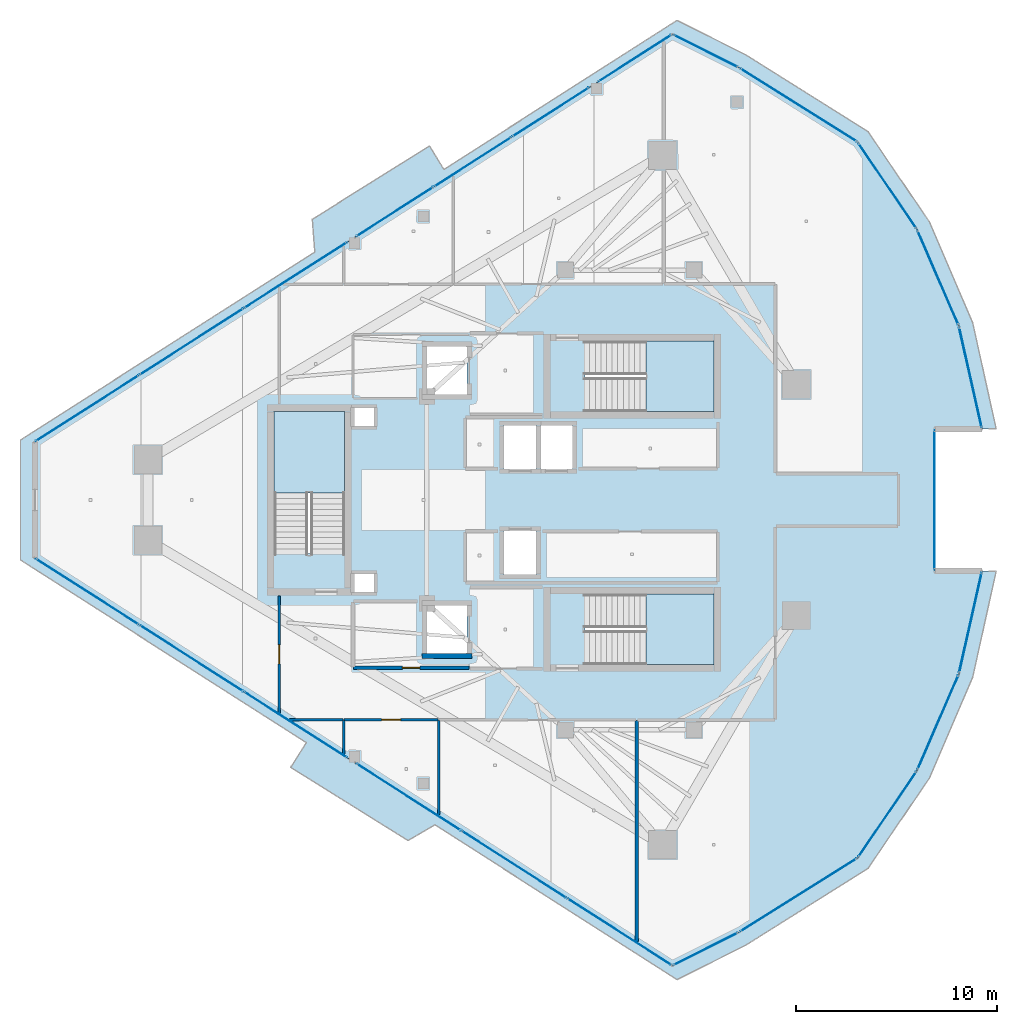
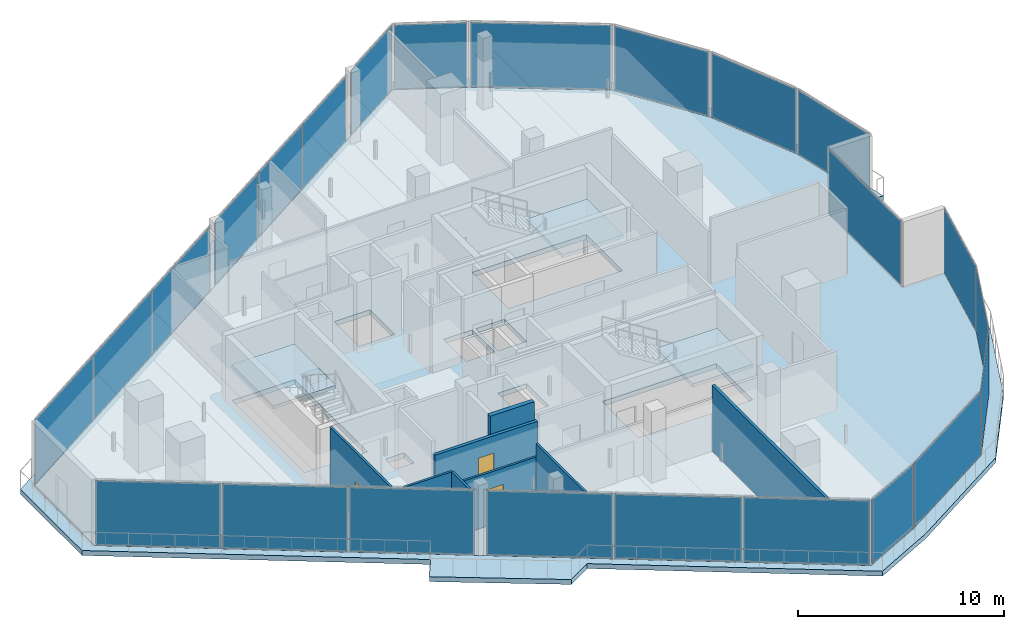
# One storey, part 19 of 27: 24 plates, 8 walls, 5 slabs, 3 doors, 3 openings, 19 elements without a shape of their own.
"""IFC4 building model written with IfcOpenShell, lengths in metres."""

from ifc_helpers import new_model, si_unit, direction, frame, frame_2d, origin, origin_2d, place, context, subcontext, project, spatial, polyline, rectangle, outline, extrude, material, layer, layer_set, type_object, element, fill, aggregate, save


model = new_model("IFC4")

# Units and contexts
model_context = context("Model", 3, precision=1e-05, world=origin(), true_north=direction((0.0, 1.0)))
body_context = subcontext(model_context, "Body", "Model", "MODEL_VIEW")
ifc_project = project(units=[si_unit("LENGTHUNIT", "METRE"), si_unit("AREAUNIT", "SQUARE_METRE"), si_unit("VOLUMEUNIT", "CUBIC_METRE"), si_unit("PLANEANGLEUNIT", "RADIAN"), si_unit("MASSUNIT", "GRAM", prefix="KILO")], contexts=[model_context])

# Site, building, storey
site_placement = place(None, origin())
site = spatial("IfcSite", under=ifc_project, at=site_placement, CompositionType="ELEMENT")
building_placement = place(site_placement, origin())
building = spatial("IfcBuilding", under=site, at=building_placement, Name="Qorvath Tower", CompositionType="ELEMENT")
storey_placement = place(building_placement, frame((0.0, 0.0, 293.39990234375)))
storey = spatial("IfcBuildingStorey", under=building, at=storey_placement, Name="L68", CompositionType="ELEMENT", Elevation=293.39990234375)

# Curtain wall, plates
ifc_material_1 = material(Name="Anodised aluminium and triple low-E glass", Category="aluminium")
ifc_layer_1 = layer(ifc_material_1, 0.179931640625)
ifc_layer_set_1 = layer_set([ifc_layer_1], Name="CW-SYS-5")
curtain_wall_type = type_object("IfcCurtainWallType", Name="CW-SYS-5", PredefinedType="NOTDEFINED", material=ifc_layer_set_1)
curtain_wall_1_placement = place(storey_placement, origin())
curtain_wall_1 = element("IfcCurtainWall", 1, at=curtain_wall_1_placement, inside=storey, type_object=curtain_wall_type, Name="Curtain Wall CW-5 CW-T-L68-2.1", PredefinedType="NOTDEFINED")
ifc_material_2 = material(Name="Acoustic laminated low-E glass", Category="glass")
ifc_layer_2 = layer(ifc_material_2, 0.0380859375)
ifc_layer_set_2 = layer_set([ifc_layer_2], Name="CWP-GLZ-38")
plate_type = type_object("IfcPlateType", Name="CWP-GLZ-38", PredefinedType="CURTAIN_PANEL", material=ifc_layer_set_2)
plate_1_placement = place(storey_placement, frame((-47.413330078125, -4.572509765625, 0.06494140625), z_axis=(0.0, 0.0, 1.0), x_axis=(0.84260091393, -0.538538485017, 0.0)))
plate_1 = element("IfcPlate", 2, at=plate_1_placement, type_object=plate_type, Name="CW-5 panel 1.1", PredefinedType="CURTAIN_PANEL", context=body_context, shape_type="SweptSolid", body=[
    extrude(rectangle(XDim=6.06103515625, YDim=0.0380859375, at=origin_2d()), origin(), (0.0, 0.0, 1.0), 3.7802734375),
])
plate_2_placement = place(storey_placement, frame((-42.22705078125, -7.88720703125, 0.06494140625), z_axis=(0.0, 0.0, 1.0), x_axis=(0.84260091393, -0.538538485017, 0.0)))
plate_2 = element("IfcPlate", 3, at=plate_2_placement, type_object=plate_type, Name="CW-5 panel 2.1", PredefinedType="CURTAIN_PANEL", context=body_context, shape_type="SweptSolid", body=[
    extrude(rectangle(XDim=6.0986328125, YDim=0.0380859375, at=origin_2d()), origin(), (0.0, 0.0, 1.0), 3.7802734375),
])
plate_3_placement = place(storey_placement, frame((-37.041015625, -11.201904296875, 0.06494140625), z_axis=(0.0, 0.0, 1.0), x_axis=(0.84260091393, -0.538538485017, 0.0)))
plate_3 = element("IfcPlate", 4, at=plate_3_placement, type_object=plate_type, Name="CW-5 panel 3.1", PredefinedType="CURTAIN_PANEL", context=body_context, shape_type="SweptSolid", body=[
    extrude(rectangle(XDim=6.06103515625, YDim=0.0380859375, at=origin_2d()), origin(), (0.0, 0.0, 1.0), 3.7802734375),
])
aggregate(curtain_wall_1, [plate_1, plate_2, plate_3])

curtain_wall_2_placement = place(storey_placement, origin())
curtain_wall_2 = element("IfcCurtainWall", 5, at=curtain_wall_2_placement, inside=storey, type_object=curtain_wall_type, Name="Curtain Wall CW-5 CW-T-L68-2.2", PredefinedType="NOTDEFINED")
plate_4_placement = place(storey_placement, frame((-31.40478515625, -14.80419921875, 0.06494140625), z_axis=(0.0, 0.0, 1.0), x_axis=(0.842604623379, -0.538532681144, 0.0)))
plate_4 = element("IfcPlate", 6, at=plate_4_placement, type_object=plate_type, Name="CW-5 panel 1.1", PredefinedType="CURTAIN_PANEL", context=body_context, shape_type="SweptSolid", body=[
    extrude(rectangle(XDim=6.132080078125, YDim=0.0380859375, at=origin_2d()), origin(), (0.0, 0.0, 1.0), 3.7802734375),
])
plate_5_placement = place(storey_placement, frame((-26.15869140625, -18.156982421875, 0.06494140625), z_axis=(0.0, 0.0, 1.0), x_axis=(0.842604623379, -0.538532681144, 0.0)))
plate_5 = element("IfcPlate", 7, at=plate_5_placement, type_object=plate_type, Name="CW-5 panel 2.1", PredefinedType="CURTAIN_PANEL", context=body_context, shape_type="SweptSolid", body=[
    extrude(rectangle(XDim=6.169677734375, YDim=0.0380859375, at=origin_2d()), origin(), (0.0, 0.0, 1.0), 3.7802734375),
])
plate_6_placement = place(storey_placement, frame((-20.912841796875, -21.509765625, 0.06494140625), z_axis=(0.0, 0.0, 1.0), x_axis=(0.842604623379, -0.538532681144, 0.0)))
plate_6 = element("IfcPlate", 8, at=plate_6_placement, type_object=plate_type, Name="CW-5 panel 3.1", PredefinedType="CURTAIN_PANEL", context=body_context, shape_type="SweptSolid", body=[
    extrude(rectangle(XDim=6.132080078125, YDim=0.0380859375, at=origin_2d()), origin(), (0.0, 0.0, 1.0), 3.7802734375),
])
aggregate(curtain_wall_2, [plate_4, plate_5, plate_6])

# Curtain wall, plate
curtain_wall_3_placement = place(storey_placement, origin())
curtain_wall_3 = element("IfcCurtainWall", 9, at=curtain_wall_3_placement, inside=storey, type_object=curtain_wall_type, Name="Curtain Wall CW-5 CW-T-L68-3.1", PredefinedType="NOTDEFINED")
plate_7_placement = place(storey_placement, frame((-16.60888671875, -22.372802734375, 0.06494140625), z_axis=(0.0, 0.0, 1.0), x_axis=(0.894427191001, 0.447213595499, 0.0)))
plate_7 = element("IfcPlate", 10, at=plate_7_placement, type_object=plate_type, Name="CW-5 panel 1.1", PredefinedType="CURTAIN_PANEL", context=body_context, shape_type="SweptSolid", body=[
    extrude(rectangle(XDim=3.5556640625, YDim=0.0380859375, at=origin_2d()), origin(), (0.0, 0.0, 1.0), 3.7802734375),
])
aggregate(curtain_wall_3, [plate_7])

curtain_wall_4_placement = place(storey_placement, origin())
curtain_wall_4 = element("IfcCurtainWall", 11, at=curtain_wall_4_placement, inside=storey, type_object=curtain_wall_type, Name="Curtain Wall CW-5 CW-T-L68-4.1", PredefinedType="NOTDEFINED")
plate_8_placement = place(storey_placement, frame((-11.99072265625, -19.686767578125, 0.06494140625), z_axis=(0.0, 0.0, 1.0), x_axis=(0.847102658638, 0.531429285727, 0.0)))
plate_8 = element("IfcPlate", 12, at=plate_8_placement, type_object=plate_type, Name="CW-5 panel 1.1", PredefinedType="CURTAIN_PANEL", context=body_context, shape_type="SweptSolid", body=[
    extrude(rectangle(XDim=6.8408203125, YDim=0.0380859375, at=origin_2d()), origin(), (0.0, 0.0, 1.0), 3.7802734375),
])
aggregate(curtain_wall_4, [plate_8])

curtain_wall_5_placement = place(storey_placement, origin())
curtain_wall_5 = element("IfcCurtainWall", 13, at=curtain_wall_5_placement, inside=storey, type_object=curtain_wall_type, Name="Curtain Wall CW-5 CW-T-L68-5.1", PredefinedType="NOTDEFINED")
plate_9_placement = place(storey_placement, frame((-7.554443359375, -15.657958984375, 0.06494140625), z_axis=(0.0, 0.0, 1.0), x_axis=(0.562015093919, 0.827126975867, 0.0)))
plate_9 = element("IfcPlate", 14, at=plate_9_placement, type_object=plate_type, Name="CW-5 panel 1.1", PredefinedType="CURTAIN_PANEL", context=body_context, shape_type="SweptSolid", body=[
    extrude(rectangle(XDim=5.099853515625, YDim=0.0380859375, at=origin_2d()), origin(), (0.0, 0.0, 1.0), 3.7802734375),
])
aggregate(curtain_wall_5, [plate_9])

curtain_wall_6_placement = place(storey_placement, origin())
curtain_wall_6 = element("IfcCurtainWall", 15, at=curtain_wall_6_placement, inside=storey, type_object=curtain_wall_type, Name="Curtain Wall CW-5 CW-T-L68-6.1", PredefinedType="NOTDEFINED")
plate_10_placement = place(storey_placement, frame((-5.03564453125, -11.078369140625, 0.06494140625), z_axis=(0.0, 0.0, 1.0), x_axis=(0.397571620227, 0.917571145356, 0.0)))
plate_10 = element("IfcPlate", 16, at=plate_10_placement, type_object=plate_type, Name="CW-5 panel 1.1", PredefinedType="CURTAIN_PANEL", context=body_context, shape_type="SweptSolid", body=[
    extrude(rectangle(XDim=5.099609375, YDim=0.0380859375, at=origin_2d()), origin(), (0.0, 0.0, 1.0), 3.7802734375),
])
aggregate(curtain_wall_6, [plate_10])

curtain_wall_7_placement = place(storey_placement, origin())
curtain_wall_7 = element("IfcCurtainWall", 17, at=curtain_wall_7_placement, inside=storey, type_object=curtain_wall_type, Name="Curtain Wall CW-5 CW-T-L68-7.1", PredefinedType="NOTDEFINED")
plate_11_placement = place(storey_placement, frame((-3.416748046875, -6.10888671875, 0.06494140625), z_axis=(0.0, 0.0, 1.0), x_axis=(0.219267424471, 0.975664797236, 0.0)))
plate_11 = element("IfcPlate", 18, at=plate_11_placement, type_object=plate_type, Name="CW-5 panel 1.1", PredefinedType="CURTAIN_PANEL", context=body_context, shape_type="SweptSolid", body=[
    extrude(rectangle(XDim=5.099853515625, YDim=0.0380859375, at=origin_2d()), origin(), (0.0, 0.0, 1.0), 3.7802734375),
])
aggregate(curtain_wall_7, [plate_11])

curtain_wall_8_placement = place(storey_placement, origin())
curtain_wall_8 = element("IfcCurtainWall", 19, at=curtain_wall_8_placement, inside=storey, type_object=curtain_wall_type, Name="Curtain Wall CW-5 CW-T-L68-9.1", PredefinedType="NOTDEFINED")
plate_12_placement = place(storey_placement, frame((-5.206298828125, 0.0, 0.06494140625), z_axis=(0.0, 0.0, 1.0), x_axis=(0.0, 1.0, 0.0)))
plate_12 = element("IfcPlate", 20, at=plate_12_placement, type_object=plate_type, Name="CW-5 panel 1.1", PredefinedType="CURTAIN_PANEL", context=body_context, shape_type="SweptSolid", body=[
    extrude(rectangle(XDim=6.94580078125, YDim=0.0380859375, at=origin_2d()), origin(), (0.0, 0.0, 1.0), 3.7802734375),
])
aggregate(curtain_wall_8, [plate_12])

curtain_wall_9_placement = place(storey_placement, origin())
curtain_wall_9 = element("IfcCurtainWall", 21, at=curtain_wall_9_placement, inside=storey, type_object=curtain_wall_type, Name="Curtain Wall CW-5 CW-T-L68-11.1", PredefinedType="NOTDEFINED")
plate_13_placement = place(storey_placement, frame((-3.416748046875, 6.10888671875, 0.06494140625), z_axis=(0.0, 0.0, 1.0), x_axis=(-0.219267424471, 0.975664797236, 0.0)))
plate_13 = element("IfcPlate", 22, at=plate_13_placement, type_object=plate_type, Name="CW-5 panel 1.1", PredefinedType="CURTAIN_PANEL", context=body_context, shape_type="SweptSolid", body=[
    extrude(rectangle(XDim=5.099853515625, YDim=0.0380859375, at=origin_2d()), origin(), (0.0, 0.0, 1.0), 3.7802734375),
])
aggregate(curtain_wall_9, [plate_13])

curtain_wall_10_placement = place(storey_placement, origin())
curtain_wall_10 = element("IfcCurtainWall", 23, at=curtain_wall_10_placement, inside=storey, type_object=curtain_wall_type, Name="Curtain Wall CW-5 CW-T-L68-12.1", PredefinedType="NOTDEFINED")
plate_14_placement = place(storey_placement, frame((-5.03564453125, 11.078369140625, 0.06494140625), z_axis=(0.0, 0.0, 1.0), x_axis=(-0.397571620227, 0.917571145356, 0.0)))
plate_14 = element("IfcPlate", 24, at=plate_14_placement, type_object=plate_type, Name="CW-5 panel 1.1", PredefinedType="CURTAIN_PANEL", context=body_context, shape_type="SweptSolid", body=[
    extrude(rectangle(XDim=5.099609375, YDim=0.0380859375, at=origin_2d()), origin(), (0.0, 0.0, 1.0), 3.7802734375),
])
aggregate(curtain_wall_10, [plate_14])

curtain_wall_11_placement = place(storey_placement, origin())
curtain_wall_11 = element("IfcCurtainWall", 25, at=curtain_wall_11_placement, inside=storey, type_object=curtain_wall_type, Name="Curtain Wall CW-5 CW-T-L68-13.1", PredefinedType="NOTDEFINED")
plate_15_placement = place(storey_placement, frame((-7.554443359375, 15.657958984375, 0.06494140625), z_axis=(0.0, 0.0, 1.0), x_axis=(-0.562015093919, 0.827126975867, 0.0)))
plate_15 = element("IfcPlate", 26, at=plate_15_placement, type_object=plate_type, Name="CW-5 panel 1.1", PredefinedType="CURTAIN_PANEL", context=body_context, shape_type="SweptSolid", body=[
    extrude(rectangle(XDim=5.099853515625, YDim=0.0380859375, at=origin_2d()), origin(), (0.0, 0.0, 1.0), 3.7802734375),
])
aggregate(curtain_wall_11, [plate_15])

curtain_wall_12_placement = place(storey_placement, origin())
curtain_wall_12 = element("IfcCurtainWall", 27, at=curtain_wall_12_placement, inside=storey, type_object=curtain_wall_type, Name="Curtain Wall CW-5 CW-T-L68-14.1", PredefinedType="NOTDEFINED")
plate_16_placement = place(storey_placement, frame((-11.99072265625, 19.686767578125, 0.06494140625), z_axis=(0.0, 0.0, 1.0), x_axis=(-0.847102658638, 0.531429285727, 0.0)))
plate_16 = element("IfcPlate", 28, at=plate_16_placement, type_object=plate_type, Name="CW-5 panel 1.1", PredefinedType="CURTAIN_PANEL", context=body_context, shape_type="SweptSolid", body=[
    extrude(rectangle(XDim=6.8408203125, YDim=0.0380859375, at=origin_2d()), origin(), (0.0, 0.0, 1.0), 3.7802734375),
])
aggregate(curtain_wall_12, [plate_16])

curtain_wall_13_placement = place(storey_placement, origin())
curtain_wall_13 = element("IfcCurtainWall", 29, at=curtain_wall_13_placement, inside=storey, type_object=curtain_wall_type, Name="Curtain Wall CW-5 CW-T-L68-15.1", PredefinedType="NOTDEFINED")
plate_17_placement = place(storey_placement, frame((-16.60888671875, 22.372802734375, 0.06494140625), z_axis=(0.0, 0.0, 1.0), x_axis=(-0.894427191001, 0.447213595499, 0.0)))
plate_17 = element("IfcPlate", 30, at=plate_17_placement, type_object=plate_type, Name="CW-5 panel 1.1", PredefinedType="CURTAIN_PANEL", context=body_context, shape_type="SweptSolid", body=[
    extrude(rectangle(XDim=3.5556640625, YDim=0.0380859375, at=origin_2d()), origin(), (0.0, 0.0, 1.0), 3.7802734375),
])
aggregate(curtain_wall_13, [plate_17])

curtain_wall_14_placement = place(storey_placement, origin())
curtain_wall_14 = element("IfcCurtainWall", 31, at=curtain_wall_14_placement, inside=storey, type_object=curtain_wall_type, Name="Curtain Wall CW-5 CW-T-L68-16.1", PredefinedType="NOTDEFINED")
plate_18_placement = place(storey_placement, frame((-20.133056640625, 22.008056640625, 0.06494140625), z_axis=(0.0, 0.0, 1.0), x_axis=(-0.842598698243, -0.53854195168, 0.0)))
plate_18 = element("IfcPlate", 32, at=plate_18_placement, type_object=plate_type, Name="CW-5 panel 1.1", PredefinedType="CURTAIN_PANEL", context=body_context, shape_type="SweptSolid", body=[
    extrude(rectangle(XDim=4.281494140625, YDim=0.0380859375, at=origin_2d()), origin(), (0.0, 0.0, 1.0), 3.7802734375),
])
aggregate(curtain_wall_14, [plate_18])

# Curtain wall, plates
curtain_wall_15_placement = place(storey_placement, origin())
curtain_wall_15 = element("IfcCurtainWall", 33, at=curtain_wall_15_placement, inside=storey, type_object=curtain_wall_type, Name="Curtain Wall CW-5 CW-T-L68-16.2", PredefinedType="NOTDEFINED")
plate_19_placement = place(storey_placement, frame((-24.33544921875, 19.322265625, 0.06494140625), z_axis=(0.0, 0.0, 1.0), x_axis=(-0.842603679504, -0.538534157957, 0.0)))
plate_19 = element("IfcPlate", 34, at=plate_19_placement, type_object=plate_type, Name="CW-5 panel 1.1", PredefinedType="CURTAIN_PANEL", context=body_context, shape_type="SweptSolid", body=[
    extrude(rectangle(XDim=4.50732421875, YDim=0.0380859375, at=origin_2d()), origin(), (0.0, 0.0, 1.0), 3.7802734375),
])
plate_20_placement = place(storey_placement, frame((-28.21240234375, 16.844482421875, 0.06494140625), z_axis=(0.0, 0.0, 1.0), x_axis=(-0.842603679504, -0.538534157957, 0.0)))
plate_20 = element("IfcPlate", 35, at=plate_20_placement, type_object=plate_type, Name="CW-5 panel 2.1", PredefinedType="CURTAIN_PANEL", context=body_context, shape_type="SweptSolid", body=[
    extrude(rectangle(XDim=4.544921875, YDim=0.0380859375, at=origin_2d()), origin(), (0.0, 0.0, 1.0), 3.7802734375),
])
plate_21_placement = place(storey_placement, frame((-32.08935546875, 14.36669921875, 0.06494140625), z_axis=(0.0, 0.0, 1.0), x_axis=(-0.842603679504, -0.538534157957, 0.0)))
plate_21 = element("IfcPlate", 36, at=plate_21_placement, type_object=plate_type, Name="CW-5 panel 3.1", PredefinedType="CURTAIN_PANEL", context=body_context, shape_type="SweptSolid", body=[
    extrude(rectangle(XDim=4.50732421875, YDim=0.0380859375, at=origin_2d()), origin(), (0.0, 0.0, 1.0), 3.7802734375),
])
aggregate(curtain_wall_15, [plate_19, plate_20, plate_21])

curtain_wall_16_placement = place(storey_placement, origin())
curtain_wall_16 = element("IfcCurtainWall", 37, at=curtain_wall_16_placement, inside=storey, type_object=curtain_wall_type, Name="Curtain Wall CW-5 CW-T-L68-16.3", PredefinedType="NOTDEFINED")
plate_22_placement = place(storey_placement, frame((-37.041015625, 11.201904296875, 0.06494140625), z_axis=(0.0, 0.0, 1.0), x_axis=(-0.84260091393, -0.538538485017, 0.0)))
plate_22 = element("IfcPlate", 38, at=plate_22_placement, type_object=plate_type, Name="CW-5 panel 1.1", PredefinedType="CURTAIN_PANEL", context=body_context, shape_type="SweptSolid", body=[
    extrude(rectangle(XDim=6.06103515625, YDim=0.0380859375, at=origin_2d()), origin(), (0.0, 0.0, 1.0), 3.7802734375),
])
plate_23_placement = place(storey_placement, frame((-42.22705078125, 7.88720703125, 0.06494140625), z_axis=(0.0, 0.0, 1.0), x_axis=(-0.84260091393, -0.538538485017, 0.0)))
plate_23 = element("IfcPlate", 39, at=plate_23_placement, type_object=plate_type, Name="CW-5 panel 2.1", PredefinedType="CURTAIN_PANEL", context=body_context, shape_type="SweptSolid", body=[
    extrude(rectangle(XDim=6.0986328125, YDim=0.0380859375, at=origin_2d()), origin(), (0.0, 0.0, 1.0), 3.7802734375),
])
plate_24_placement = place(storey_placement, frame((-47.413330078125, 4.572509765625, 0.06494140625), z_axis=(0.0, 0.0, 1.0), x_axis=(-0.84260091393, -0.538538485017, 0.0)))
plate_24 = element("IfcPlate", 40, at=plate_24_placement, type_object=plate_type, Name="CW-5 panel 3.1", PredefinedType="CURTAIN_PANEL", context=body_context, shape_type="SweptSolid", body=[
    extrude(rectangle(XDim=6.06103515625, YDim=0.0380859375, at=origin_2d()), origin(), (0.0, 0.0, 1.0), 3.7802734375),
])
aggregate(curtain_wall_16, [plate_22, plate_23, plate_24])

# Slab
ifc_material_3 = material(Name="Concrete C50/60", Category="concrete")
ifc_layer_3 = layer(ifc_material_3, 0.2900390625)
ifc_layer_set_3 = layer_set([ifc_layer_3], Name="SL-EXEC-290")
slab_type_1 = type_object("IfcSlabType", Name="SL-EXEC-290", PredefinedType="FLOOR", material=ifc_layer_set_3)
slab_1_placement = place(storey_placement, frame((0.0, 0.0, -0.289794921875)))
element("IfcSlab", 41, at=slab_1_placement, inside=storey, type_object=slab_type_1, Name="Tower L68 Interior Floor Slab", PredefinedType="FLOOR", context=body_context, shape_type="SweptSolid", body=[
    extrude(outline(polyline([(-50.030029296875, 2.900146484375), (-50.030029296875, -2.900146484375), (-18.26611328125, -23.201416015625), (-14.95166015625, -21.544189453125), (-9.02978515625, -17.8291015625), (-6.079345703125, -13.48681640625), (-3.9921875, -8.669921875), (-2.841064453125, -3.5478515625), (-5.206298828125, -3.5478515625), (-5.206298828125, 3.5478515625), (-2.841064453125, 3.5478515625), (-3.9921875, 8.669921875), (-6.079345703125, 13.48681640625), (-9.02978515625, 17.8291015625), (-14.95166015625, 21.544189453125), (-18.26611328125, 23.201416015625), (-50.030029296875, 2.900146484375)]), holes=[polyline([(-16.2451171875, -8.199951171875), (-22.625, -8.199951171875), (-22.625, -4.68994140625), (-16.2451171875, -4.68994140625), (-16.2451171875, -8.199951171875)]), polyline([(-22.625, 4.39990234375), (-22.625, 7.909912109375), (-16.2451171875, 7.909912109375), (-16.2451171875, 4.39990234375), (-22.625, 4.39990234375)]), polyline([(-23.25, 1.550048828125), (-24.85009765625, 1.550048828125), (-24.85009765625, 3.699951171875), (-23.25, 3.699951171875), (-23.25, 1.550048828125)]), polyline([(-26.64990234375, -3.699951171875), (-26.64990234375, -1.550048828125), (-25.050048828125, -1.550048828125), (-25.050048828125, -3.699951171875), (-26.64990234375, -3.699951171875)]), polyline([(-25.050048828125, 1.550048828125), (-26.64990234375, 1.550048828125), (-26.64990234375, 3.699951171875), (-25.050048828125, 3.699951171875), (-25.050048828125, 1.550048828125)]), polyline([(-28.5, -7.64990234375), (-30.5, -7.64990234375), (-30.5, -5.25), (-28.5, -5.25), (-28.5, -7.64990234375)]), polyline([(-30.5, 5.25), (-30.5, 7.64990234375), (-28.5, 7.64990234375), (-28.5, 5.25), (-30.5, 5.25)]), polyline([(-33.10009765625, -4.6201171875), (-34.14990234375, -4.6201171875), (-34.14990234375, -3.64990234375), (-33.10009765625, -3.64990234375), (-33.10009765625, -4.6201171875)]), polyline([(-33.10009765625, 3.64990234375), (-34.14990234375, 3.64990234375), (-34.14990234375, 4.6201171875), (-33.10009765625, 4.6201171875), (-33.10009765625, 3.64990234375)]), polyline([(-34.60009765625, -2.675048828125), (-38.110107421875, -2.675048828125), (-38.110107421875, 4.35498046875), (-34.60009765625, 4.35498046875), (-34.60009765625, -2.675048828125)])]), origin(), (0.0, 0.0, 1.0), 0.289794921875),
])

# Stair, slab
ifc_material_4 = material(Name="Concrete C50/60", Category="concrete")
stair_type = type_object("IfcStairType", Name="ST-H420", PredefinedType="HALF_TURN_STAIR", material=ifc_material_4)
stair_1_placement = place(storey_placement, origin())
stair_1 = element("IfcStair", 42, at=stair_1_placement, inside=storey, type_object=stair_type, Name="L68 Tower Exit Stair 1", PredefinedType="HALF_TURN_STAIR")
ifc_material_5 = material(Name="Concrete C50/60", Category="concrete")
ifc_layer_4 = layer(ifc_material_5, 0.199951171875)
ifc_layer_set_4 = layer_set([ifc_layer_4], Name="SL-LND-200")
slab_type_2 = type_object("IfcSlabType", Name="SL-LND-200", PredefinedType="LANDING", material=ifc_layer_set_4)
slab_2_placement = place(storey_placement, frame((0.0, 0.0, 1.900146484375)))
slab_2 = element("IfcSlab", 43, at=slab_2_placement, type_object=slab_type_2, Name="TS1 landing 1", PredefinedType="LANDING", context=body_context, shape_type="SweptSolid", body=[
    extrude(outline(polyline([(-19.590087890625, 4.39990234375), (-16.199951171875, 4.39990234375), (-16.199951171875, 7.909912109375), (-19.590087890625, 7.909912109375), (-19.590087890625, 4.39990234375)])), origin(), (0.0, 0.0, 1.0), 0.199951171875),
])
aggregate(stair_1, [slab_2])

stair_2_placement = place(storey_placement, origin())
stair_2 = element("IfcStair", 44, at=stair_2_placement, inside=storey, type_object=stair_type, Name="L68 Tower Exit Stair 2", PredefinedType="HALF_TURN_STAIR")
slab_3_placement = place(storey_placement, frame((0.0, 0.0, 1.900146484375)))
slab_3 = element("IfcSlab", 45, at=slab_3_placement, type_object=slab_type_2, Name="TS2 landing 1", PredefinedType="LANDING", context=body_context, shape_type="SweptSolid", body=[
    extrude(outline(polyline([(-19.590087890625, -8.199951171875), (-16.199951171875, -8.199951171875), (-16.199951171875, -4.68994140625), (-19.590087890625, -4.68994140625), (-19.590087890625, -8.199951171875)])), origin(), (0.0, 0.0, 1.0), 0.199951171875),
])
aggregate(stair_2, [slab_3])

stair_3_placement = place(storey_placement, origin())
stair_3 = element("IfcStair", 46, at=stair_3_placement, inside=storey, type_object=stair_type, Name="L68 Tower Exit Stair 3", PredefinedType="HALF_TURN_STAIR")
slab_4_placement = place(storey_placement, frame((0.0, 0.0, 1.900146484375)))
slab_4 = element("IfcSlab", 47, at=slab_4_placement, type_object=slab_type_2, Name="TS3 landing 1", PredefinedType="LANDING", context=body_context, shape_type="SweptSolid", body=[
    extrude(outline(polyline([(-34.60009765625, 0.360107421875), (-34.60009765625, 4.39990234375), (-38.110107421875, 4.39990234375), (-38.110107421875, 0.360107421875), (-34.60009765625, 0.360107421875)])), origin(), (0.0, 0.0, 1.0), 0.199951171875),
])
aggregate(stair_3, [slab_4])

# Slab
ifc_material_6 = material(Name="Precast concrete C45/55", Category="concrete")
ifc_layer_5 = layer(ifc_material_6, 0.2900390625)
ifc_layer_set_5 = layer_set([ifc_layer_5], Name="SL-LOG-290")
slab_type_3 = type_object("IfcSlabType", Name="SL-LOG-290", PredefinedType="FLOOR", material=ifc_layer_set_5)
slab_5_placement = place(storey_placement, frame((0.0, 0.0, -0.289794921875)))
element("IfcSlab", 48, at=slab_5_placement, inside=storey, type_object=slab_type_3, Name="Tower L68 Perimeter Loggia and Terrace Slab", PredefinedType="FLOOR", context=body_context, shape_type="SweptSolid", body=[
    extrude(outline(polyline([(-31.441162109375, -16.96435546875), (-30.101806640625, -16.18115234375), (-18.03564453125, -23.893310546875), (-14.622314453125, -22.1865234375), (-8.506591796875, -18.340087890625), (-5.459716796875, -13.84228515625), (-3.311279296875, -8.852294921875), (-2.13720703125, -3.5478515625), (-2.841064453125, -3.5478515625), (-3.9921875, -8.669921875), (-6.079345703125, -13.48681640625), (-9.02978515625, -17.8291015625), (-14.95166015625, -21.544189453125), (-18.26611328125, -23.201416015625), (-50.030029296875, -2.900146484375), (-50.030029296875, 2.900146484375), (-18.26611328125, 23.201416015625), (-14.95166015625, 21.544189453125), (-9.02978515625, 17.8291015625), (-6.079345703125, 13.48681640625), (-3.9921875, 8.669921875), (-2.841064453125, 3.5478515625), (-2.13720703125, 3.5478515625), (-3.311279296875, 8.852294921875), (-5.459716796875, 13.84228515625), (-8.506591796875, 18.340087890625), (-14.622314453125, 22.1865234375), (-18.03564453125, 23.893310546875), (-29.653564453125, 16.4677734375), (-30.365478515625, 17.636474609375), (-36.20703125, 13.986328125), (-36.083984375, 12.35791015625), (-50.74658203125, 2.986572265625), (-50.74658203125, -2.986572265625), (-36.49951171875, -12.09228515625), (-37.282470703125, -13.314453125), (-31.441162109375, -16.96435546875)])), origin(), (0.0, 0.0, 1.0), 0.289794921875),
])

# Wall, opening, door
ifc_material_7 = material(Name="Gypsum shaftliner on steel studs", Category="steel")
ifc_layer_6 = layer(ifc_material_7, 0.179931640625)
ifc_layer_set_6 = layer_set([ifc_layer_6], Name="FW-LOBBY")
wall_type_1 = type_object("IfcWallType", Name="FW-LOBBY", PredefinedType="PARTITIONING", material=ifc_layer_set_6)
wall_1_placement = place(storey_placement, frame((-34.15478515625, -8.35009765625, 0.0), z_axis=(0.0, 0.0, 1.0), x_axis=(1.0, 0.0, 0.0)))
wall_1 = element("IfcWall", 49, at=wall_1_placement, inside=storey, type_object=wall_type_1, Name="Interior Partition IW-T1-L68-020", PredefinedType="PARTITIONING", context=body_context, shape_type="SweptSolid", body=[
    extrude(rectangle(XDim=5.741943359375, YDim=0.179931640625, at=frame_2d((2.87109375, 0.0))), origin(), (0.0, 0.0, 1.0), 3.130126953125),
])
opening_1_placement = place(wall_1_placement, frame((2.430908203125, 0.0, 0.0)))
opening_1 = element("IfcOpeningElement", 50, at=opening_1_placement, cuts=wall_1, Name="Opening D-T1-L68-06", PredefinedType="OPENING", context=body_context, shape_type="SweptSolid", body=[
    extrude(rectangle(XDim=0.8798828125, YDim=2.10009765625, at=frame_2d((0.43994140625, 1.050048828125))), frame((0.0, 0.10009765625, 0.0), z_axis=(0.0, -1.0, 0.0), x_axis=(1.0, 0.0, 0.0)), (0.0, 0.0, 1.0), 0.199951171875),
])
ifc_material_8 = material(Name="Painted galvanised hollow metal", Category="steel")
door_type_1 = type_object("IfcDoorType", Name="FD-60N", OperationType="NOTDEFINED", PredefinedType="DOOR", material=ifc_material_8)
door_1_placement = place(opening_1_placement, origin())
door_1 = element("IfcDoor", 51, at=door_1_placement, inside=storey, type_object=door_type_1, Name="Core electrical and cleaner room L68 Door D-T1-L68-06", OperationType="SINGLE_SWING_LEFT", OverallHeight=2.10009765625, OverallWidth=0.8798828125, PredefinedType="DOOR", context=body_context, shape_type="SweptSolid", body=[
    extrude(rectangle(XDim=0.8798828125, YDim=2.10009765625, at=frame_2d((0.43994140625, 1.050048828125))), frame((0.0, 0.02490234375, 0.0), z_axis=(0.0, -1.0, 0.0), x_axis=(1.0, 0.0, 0.0)), (0.0, 0.0, 1.0), 0.050048828125),
])
fill(opening_1, door_1)

# Walls
ifc_material_9 = material(Name="Double acoustic gypsum board on steel studs", Category="steel")
ifc_layer_7 = layer(ifc_material_9, 0.159912109375)
ifc_layer_set_7 = layer_set([ifc_layer_7], Name="IW-ACOUSTIC-160")
wall_type_2 = type_object("IfcWallType", Name="IW-ACOUSTIC-160", PredefinedType="PARTITIONING", material=ifc_layer_set_7)
wall_2_placement = place(storey_placement, frame((-20.039794921875, -10.98291015625, 0.0), z_axis=(0.0, 0.0, 1.0), x_axis=(-0.00013312034, -0.999999991139, 0.0)))
element("IfcWall", 52, at=wall_2_placement, inside=storey, type_object=wall_type_2, Name="Interior Partition IW-T1-L68-036", PredefinedType="PARTITIONING", context=body_context, shape_type="SweptSolid", body=[
    extrude(rectangle(XDim=11.00390625, YDim=0.159912109375, at=frame_2d((5.501953125, 0.0))), origin(), (0.0, 0.0, 1.0), 3.91015625),
])
ifc_material_10 = material(Name="Gypsum board on metal studs with mineral wool", Category="gypsum")
ifc_layer_8 = layer(ifc_material_10, 0.125)
ifc_layer_set_8 = layer_set([ifc_layer_8], Name="IW-PART-125")
wall_type_3 = type_object("IfcWallType", Name="IW-PART-125", PredefinedType="PARTITIONING", material=ifc_layer_set_8)
wall_3_placement = place(storey_placement, frame((-34.64990234375, -12.650146484375, 0.0), z_axis=(0.0, 0.0, 1.0), x_axis=(0.0, 1.0, 0.0)))
element("IfcWall", 53, at=wall_3_placement, inside=storey, type_object=wall_type_3, Name="Interior Partition IW-T1-L68-021", PredefinedType="PARTITIONING", context=body_context, shape_type="SweptSolid", body=[
    extrude(rectangle(XDim=1.667236328125, YDim=0.125, at=frame_2d((0.83349609375, 0.0))), origin(), (0.0, 0.0, 1.0), 3.91015625),
])
wall_4_placement = place(storey_placement, frame((-37.342529296875, -10.9580078125, 0.0), z_axis=(0.0, 0.0, 1.0), x_axis=(1.0, 0.0, 0.0)))
element("IfcWall", 54, at=wall_4_placement, inside=storey, type_object=wall_type_3, Name="Interior Partition IW-T1-L68-022", PredefinedType="PARTITIONING", context=body_context, shape_type="SweptSolid", body=[
    extrude(rectangle(XDim=2.667724609375, YDim=0.125, at=frame_2d((1.333984375, 0.0))), origin(), (0.0, 0.0, 1.0), 3.91015625),
])

# Wall, opening, door
wall_5_placement = place(storey_placement, frame((-37.85791015625, -10.599853515625, 0.0), z_axis=(0.0, 0.0, 1.0), x_axis=(0.0, 1.0, 0.0)))
wall_5 = element("IfcWall", 55, at=wall_5_placement, inside=storey, type_object=wall_type_3, Name="Interior Partition IW-T1-L68-023", PredefinedType="PARTITIONING", context=body_context, shape_type="SweptSolid", body=[
    extrude(rectangle(XDim=5.816650390625, YDim=0.125, at=frame_2d((2.908203125, 0.0))), origin(), (0.0, 0.0, 1.0), 3.91015625),
])
opening_2_placement = place(wall_5_placement, frame((2.433349609375, 0.0, 0.0)))
opening_2 = element("IfcOpeningElement", 56, at=opening_2_placement, cuts=wall_5, Name="Opening D-T1-L68-07", PredefinedType="OPENING", context=body_context, shape_type="SweptSolid", body=[
    extrude(rectangle(XDim=0.949951171875, YDim=2.14990234375, at=frame_2d((0.47509765625, 1.074951171875))), frame((0.0, 0.072509765625, 0.0), z_axis=(0.0, -1.0, 0.0), x_axis=(1.0, 0.0, 0.0)), (0.0, 0.0, 1.0), 0.14501953125),
])
ifc_material_11 = material(Name="Solid-core American white oak veneer", Category="wood")
door_type_2 = type_object("IfcDoorType", Name="D-01", OperationType="NOTDEFINED", PredefinedType="DOOR", material=ifc_material_11)
door_2_placement = place(opening_2_placement, origin())
door_2 = element("IfcDoor", 57, at=door_2_placement, inside=storey, type_object=door_type_2, Name="L68-01 Open Workplace Studio Door D-T1-L68-07", OperationType="SINGLE_SWING_RIGHT", OverallHeight=2.14990234375, OverallWidth=0.949951171875, PredefinedType="DOOR", context=body_context, shape_type="SweptSolid", body=[
    extrude(rectangle(XDim=0.949951171875, YDim=2.14990234375, at=frame_2d((0.47509765625, 1.074951171875))), frame((0.0, 0.02490234375, 0.0), z_axis=(0.0, -1.0, 0.0), x_axis=(1.0, 0.0, 0.0)), (0.0, 0.0, 1.0), 0.050048828125),
])
fill(opening_2, door_2)

# Wall
wall_6_placement = place(storey_placement, frame((-29.916748046875, -15.67529296875, 0.0), z_axis=(0.0, 0.0, 1.0), x_axis=(0.0, 1.0, 0.0)))
element("IfcWall", 58, at=wall_6_placement, inside=storey, type_object=wall_type_3, Name="Interior Partition IW-T1-L68-040", PredefinedType="PARTITIONING", context=body_context, shape_type="SweptSolid", body=[
    extrude(rectangle(XDim=4.6923828125, YDim=0.125, at=frame_2d((2.34619140625, 0.0))), origin(), (0.0, 0.0, 1.0), 3.91015625),
])

# Wall, opening, door
wall_7_placement = place(storey_placement, frame((-29.941650390625, -10.9580078125, 0.0), z_axis=(0.0, 0.0, 1.0), x_axis=(-1.0, 0.0, 0.0)))
wall_7 = element("IfcWall", 59, at=wall_7_placement, inside=storey, type_object=wall_type_3, Name="Interior Partition IW-T1-L68-041", PredefinedType="PARTITIONING", context=body_context, shape_type="SweptSolid", body=[
    extrude(rectangle(XDim=4.675537109375, YDim=0.125, at=frame_2d((2.337890625, 0.0))), origin(), (0.0, 0.0, 1.0), 3.130126953125),
])
opening_3_placement = place(wall_7_placement, frame((1.86279296875, 0.0, 0.0)))
opening_3 = element("IfcOpeningElement", 60, at=opening_3_placement, cuts=wall_7, Name="Opening D-T1-L68-11", PredefinedType="OPENING", context=body_context, shape_type="SweptSolid", body=[
    extrude(rectangle(XDim=0.949951171875, YDim=2.14990234375, at=frame_2d((0.47509765625, 1.074951171875))), frame((0.0, 0.072509765625, 0.0), z_axis=(0.0, -1.0, 0.0), x_axis=(1.0, 0.0, 0.0)), (0.0, 0.0, 1.0), 0.14501953125),
])
door_3_placement = place(opening_3_placement, origin())
door_3 = element("IfcDoor", 61, at=door_3_placement, inside=storey, type_object=door_type_2, Name="L68-05 Executive Support Office Door D-T1-L68-11", OperationType="SINGLE_SWING_RIGHT", OverallHeight=2.14990234375, OverallWidth=0.949951171875, PredefinedType="DOOR", context=body_context, shape_type="SweptSolid", body=[
    extrude(rectangle(XDim=0.949951171875, YDim=2.14990234375, at=frame_2d((0.47509765625, 1.074951171875))), frame((0.0, 0.02490234375, 0.0), z_axis=(0.0, -1.0, 0.0), x_axis=(1.0, 0.0, 0.0)), (0.0, 0.0, 1.0), 0.050048828125),
])
fill(opening_3, door_3)

# Wall
ifc_material_12 = material(Name="Concrete C60/75", Category="concrete")
ifc_layer_9 = layer(ifc_material_12, 0.260009765625)
ifc_layer_set_9 = layer_set([ifc_layer_9], Name="SW-SHAFT")
wall_type_4 = type_object("IfcWallType", Name="SW-SHAFT", PredefinedType="SHEAR", material=ifc_layer_set_9)
wall_8_placement = place(storey_placement, frame((-28.260009765625, -7.77001953125, 0.0), z_axis=(0.0, 0.0, 1.0), x_axis=(-1.0, 0.0, 0.0)))
element("IfcWall", 62, at=wall_8_placement, inside=storey, type_object=wall_type_4, Name="Hoistway Wall FSAE-2 L68 S", PredefinedType="SHEAR", context=body_context, shape_type="SweptSolid", body=[
    extrude(rectangle(XDim=2.47998046875, YDim=0.239990234375, at=frame_2d((1.239990234375, 0.0))), origin(), (0.0, 0.0, 1.0), 3.91015625),
])

save(model, "model.ifc")
